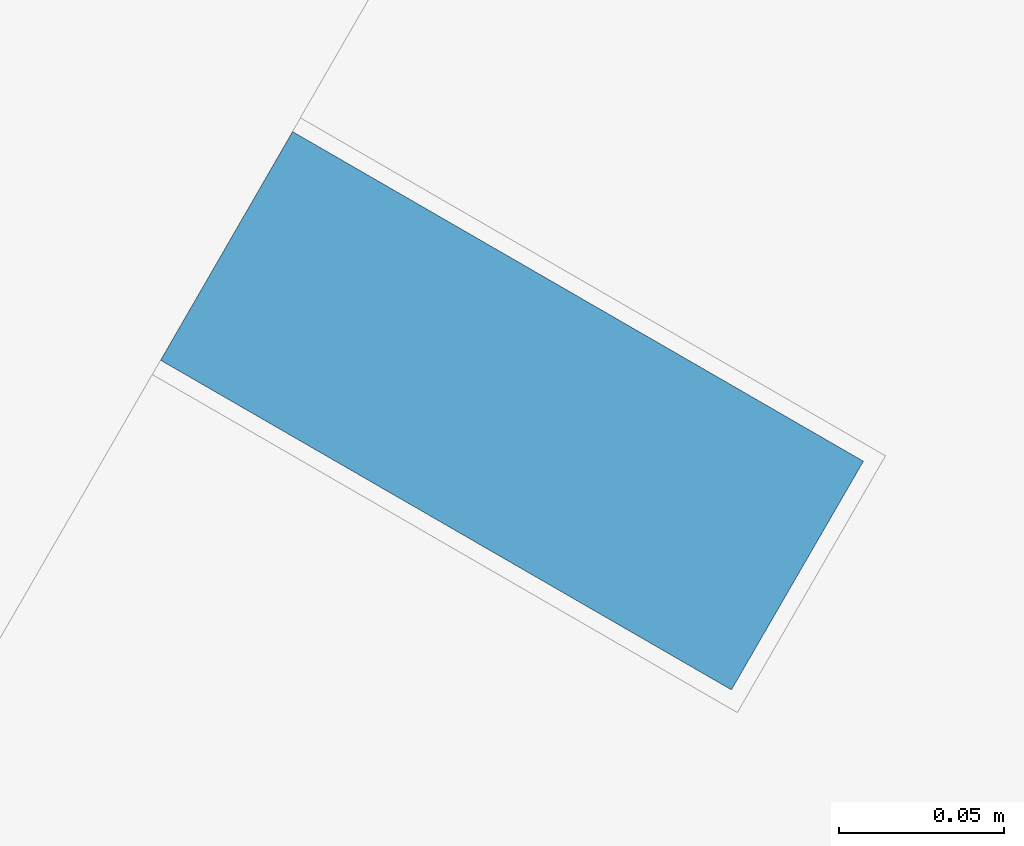
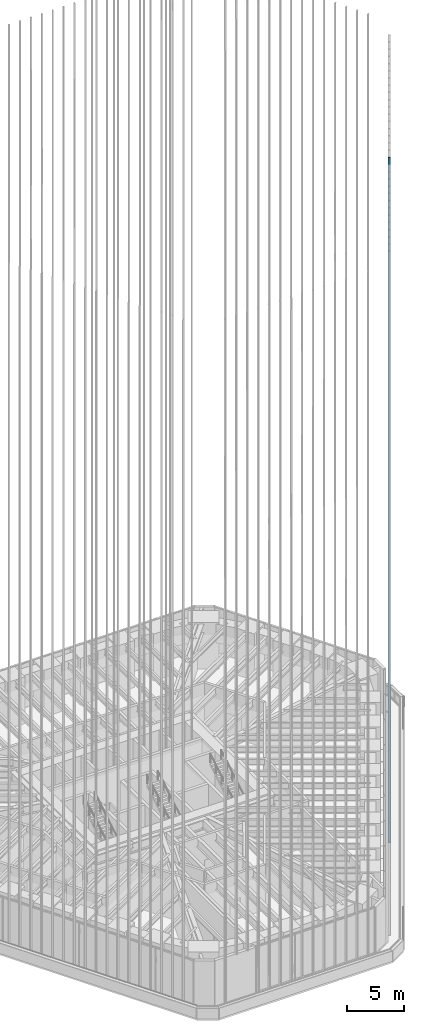
# One storey, part 98 of 228: 1 member, 1 element without a shape of its own.
"""IFC4 building model written with IfcOpenShell, lengths in metres."""

from ifc_helpers import new_model, si_unit, direction, frame, origin, origin_2d, place, context, subcontext, project, spatial, rectangle, extrude, material, material_profile, profile_set, type_object, element, aggregate, save


model = new_model("IFC4")

# Units and contexts
model_context = context("Model", 3, precision=1e-05, world=origin(), true_north=direction((0.0, 1.0)))
body_context = subcontext(model_context, "Body", "Model", "MODEL_VIEW")
ifc_project = project(units=[si_unit("LENGTHUNIT", "METRE"), si_unit("AREAUNIT", "SQUARE_METRE"), si_unit("VOLUMEUNIT", "CUBIC_METRE"), si_unit("PLANEANGLEUNIT", "RADIAN"), si_unit("MASSUNIT", "GRAM", prefix="KILO")], contexts=[model_context])

# Site, building, storey
site_placement = place(None, origin())
site = spatial("IfcSite", under=ifc_project, at=site_placement, CompositionType="ELEMENT")
building_placement = place(site_placement, origin())
building = spatial("IfcBuilding", under=site, at=building_placement, Name="Sandreach Pilgrim Tower", CompositionType="ELEMENT")
storey_placement = place(building_placement, frame((0.0, 0.0, 178.199951171875)))
storey = spatial("IfcBuildingStorey", under=building, at=storey_placement, Name="L44", CompositionType="ELEMENT", Elevation=178.199951171875)

# Curtain wall, member
ifc_material_1 = material(Name="Aluminium framed curtain wall", Category="aluminium")
curtain_wall_type = type_object("IfcCurtainWallType", Name="Upper hotel tower curtain wall", PredefinedType="NOTDEFINED", material=ifc_material_1)
curtain_wall_placement = place(storey_placement, origin())
curtain_wall = element("IfcCurtainWall", 1, at=curtain_wall_placement, inside=storey, type_object=curtain_wall_type, Name="CW-3 L44 SE", PredefinedType="NOTDEFINED")
ifc_material_2 = material(Name="Extruded terracotta on aluminium core", Category="masonry")
ifc_material_profile = material_profile(ifc_material_2, rectangle(XDim=0.080078125, YDim=0.199951171875, at=origin_2d()), Name="TBE 80X200")
ifc_profile_set = profile_set([ifc_material_profile], Name="Extruded terracotta on aluminium core")
member_type = type_object("IfcMemberType", Name="Terracotta baguette east", PredefinedType="USERDEFINED", material=ifc_profile_set)
member_placement = place(storey_placement, frame((17.5703125, -12.6875, 0.0), z_axis=(0.0, 0.0, 1.0), x_axis=(-0.5, -0.866025403784, 0.0)))
member = element("IfcMember", 2, at=member_placement, type_object=member_type, Name="Baguette Z3 SE18", ObjectType="BAGUETTE", PredefinedType="USERDEFINED", context=body_context, shape_type="SweptSolid", body=[
    extrude(rectangle(XDim=0.080078125, YDim=0.199951171875, at=origin_2d()), origin(), (0.0, 0.0, 1.0), 73.239990234375),
])
aggregate(curtain_wall, [member])

save(model, "model.ifc")
